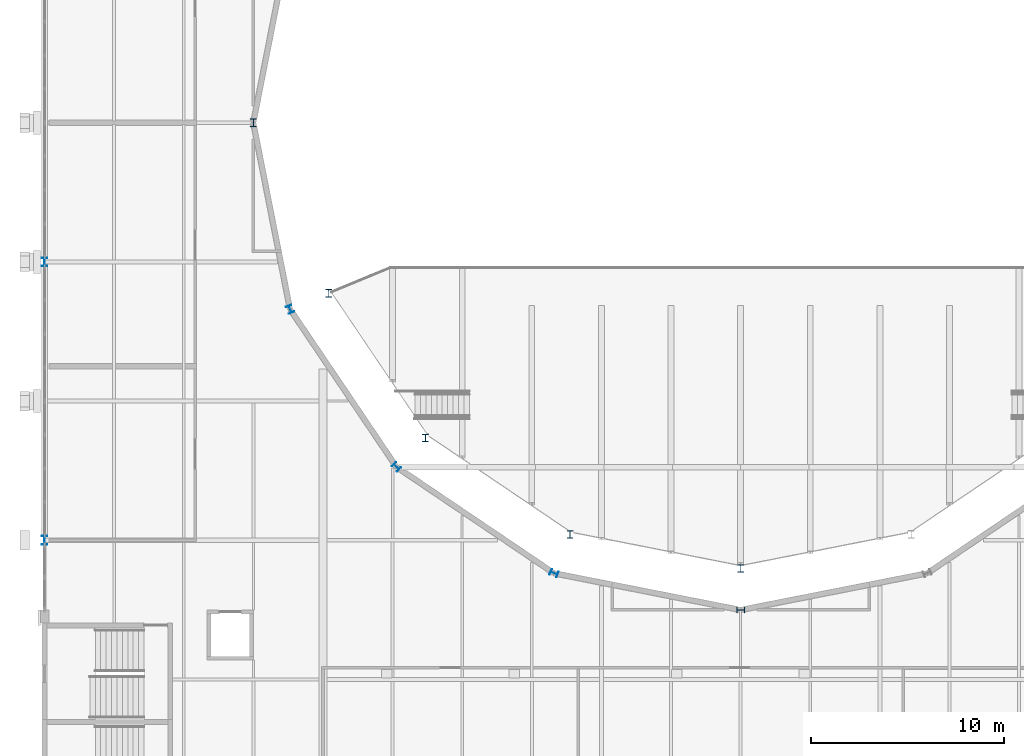
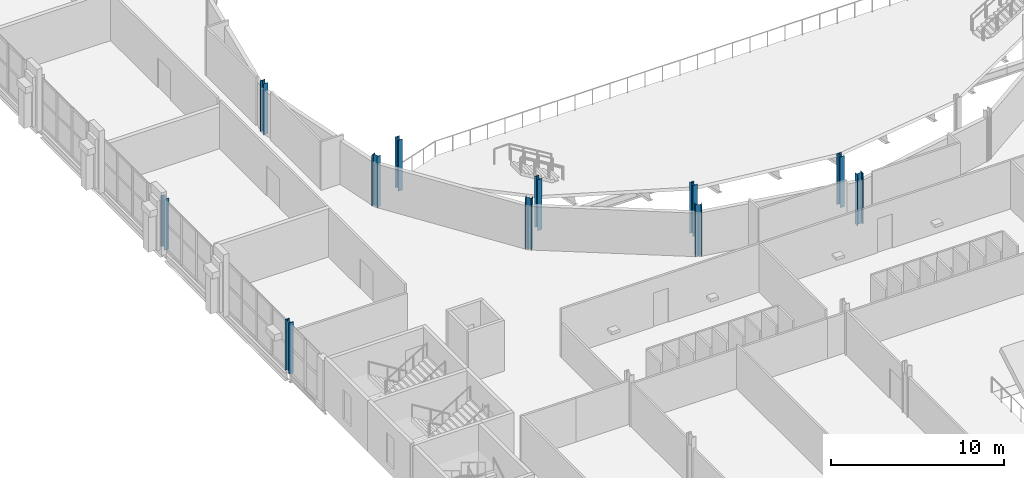
# One storey, part 3 of 124: 11 columns.
"""IFC4 building model written with IfcOpenShell, lengths in metres."""

import ifcopenshell
import ifcopenshell.guid

model = None  # the IFC model being written
_history = None  # IfcOwnerHistory: only IFC2X3 demands one
_inside = {}  # id of a spatial element -> (the spatial element, [elements in it])
_under = {}  # id of a project, library or spatial element -> (it, [spatial elements below it])
_declared = {}  # id of a project -> (the project, [libraries it declares])
_typed = {}  # id of a type object -> (the type object, [elements of that type])
_made_of = {}  # id of a material, layer set ... -> (it, [elements and type objects made of it])


def new_model(schema):
    """Start an empty IFC model of exactly this schema.

    Asked for "IFC4X3", IfcOpenShell would pick the latest addendum, in which some entities
    have other attributes; the version numbers below select the first issue.
    IFC2X3 requires an IfcOwnerHistory on every rooted entity: one is made here for all.
    """
    global model, _history
    if schema == "IFC4X3":
        model = ifcopenshell.file(schema_version=(4, 3, 0, 0))
    else:
        model = ifcopenshell.file(schema=schema)
    _inside.clear()
    _under.clear()
    _declared.clear()
    _typed.clear()
    _made_of.clear()
    _history = None
    if model.schema == "IFC2X3":
        org = make("IfcOrganization", Name="unknown")
        user = make(
            "IfcPersonAndOrganization",
            ThePerson=make("IfcPerson", FamilyName="unknown"),
            TheOrganization=org,
        )
        app = make(
            "IfcApplication",
            ApplicationDeveloper=org,
            Version="unknown",
            ApplicationFullName="unknown",
            ApplicationIdentifier="unknown",
        )
        _history = make(
            "IfcOwnerHistory",
            OwningUser=user,
            OwningApplication=app,
            ChangeAction="ADDED",
            CreationDate=0,
        )
    return model


def make(cls, **values):
    """One entity of the class cls with the attributes given. An attribute that is None is left unset."""
    return model.create_entity(
        cls, **{name: value for name, value in values.items() if value is not None}
    )


def rooted(cls, **values):
    """An entity with a GlobalId (a new one), such as an element, a storey or a relation."""
    return make(cls, GlobalId=ifcopenshell.guid.new(), OwnerHistory=_history, **values)


def si_unit(unit_type, name, prefix=None):
    """IfcSIUnit, for example si_unit("LENGTHUNIT", "METRE", prefix="MILLI")."""
    return make("IfcSIUnit", UnitType=unit_type, Prefix=prefix, Name=name)


def assignment(units):
    """IfcUnitAssignment: the units of a project."""
    return None if units is None else make("IfcUnitAssignment", Units=units)


def point(xyz):
    """IfcCartesianPoint."""
    return None if xyz is None else make("IfcCartesianPoint", Coordinates=xyz)


def direction(xyz):
    """IfcDirection."""
    return None if xyz is None else make("IfcDirection", DirectionRatios=xyz)


def frame(location, z_axis=None, x_axis=None):
    """IfcAxis2Placement3D, a coordinate frame: its origin and axes. An axis left out is left unset."""
    return make(
        "IfcAxis2Placement3D",
        Location=point(location),
        Axis=direction(z_axis),
        RefDirection=direction(x_axis),
    )


def frame_2d(location, x_axis=None):
    """IfcAxis2Placement2D, a coordinate frame in the plane: its origin and x axis."""
    return make(
        "IfcAxis2Placement2D", Location=point(location), RefDirection=direction(x_axis)
    )


def origin():
    """The frame at (0, 0, 0) with its axes left unset."""
    return frame((0.0, 0.0, 0.0))


def origin_2d():
    """The frame at (0, 0) in the plane with its x axis left unset."""
    return frame_2d((0.0, 0.0))


def place(relative_to, where):
    """IfcLocalPlacement: puts the frame where relative to a parent placement (None: the world)."""
    return make(
        "IfcLocalPlacement", PlacementRelTo=relative_to, RelativePlacement=where
    )


def context(
    kind, dimensions, precision=None, world=None, true_north=None, identifier=None
):
    """IfcGeometricRepresentationContext, for example the 3D "Model" context."""
    return make(
        "IfcGeometricRepresentationContext",
        ContextIdentifier=identifier,
        ContextType=kind,
        CoordinateSpaceDimension=dimensions,
        Precision=precision,
        WorldCoordinateSystem=world,
        TrueNorth=true_north,
    )


def subcontext(parent, identifier, kind, view, scale=None):
    """IfcGeometricRepresentationSubContext, for example "Body" below "Model"."""
    return make(
        "IfcGeometricRepresentationSubContext",
        ContextIdentifier=identifier,
        ContextType=kind,
        ParentContext=parent,
        TargetScale=scale,
        TargetView=view,
    )


def project(units=None, contexts=None):
    """IfcProject with its units and contexts."""
    return rooted(
        "IfcProject",
        Name="project",
        RepresentationContexts=contexts,
        UnitsInContext=assignment(units),
    )


def spatial(cls, under=None, at=None, **own):
    """A site, building, storey or space (cls), placed at a placement, below another one or the project."""
    s = rooted(cls, ObjectPlacement=at, **own)
    if under is not None:
        _under.setdefault(under.id(), (under, []))[1].append(s)
    return s


def profile(cls, at=None, kind="AREA", **sizes):
    """A parametric profile (cls). Its sizes go by their IFC names, for example OverallWidth=200.0."""
    return make(cls, ProfileType=kind, Position=at, **sizes)


def i_section(**sizes):
    """IfcIShapeProfileDef."""
    return profile("IfcIShapeProfileDef", **sizes)


def extrude(swept, where, along, depth):
    """IfcExtrudedAreaSolid: the profile swept, set in the frame where, extruded along a direction by depth."""
    return make(
        "IfcExtrudedAreaSolid",
        SweptArea=swept,
        Position=where,
        ExtrudedDirection=direction(along),
        Depth=depth,
    )


def shape(context_of_items, identifier, shape_type, items):
    """IfcShapeRepresentation: the items that make up one representation, for example the "Body"."""
    return make(
        "IfcShapeRepresentation",
        ContextOfItems=context_of_items,
        RepresentationIdentifier=identifier,
        RepresentationType=shape_type,
        Items=items,
    )


def material(Name=None, Category=None):
    """IfcMaterial."""
    return make("IfcMaterial", Name=Name, Category=Category)


def material_profile(
    of_material, cross_section, Name=None, Category=None, Priority=None
):
    """IfcMaterialProfile: a cross section and its material."""
    return make(
        "IfcMaterialProfile",
        Name=Name,
        Material=of_material,
        Profile=cross_section,
        Priority=Priority,
        Category=Category,
    )


def profile_set(profiles, Name=None, composite=None):
    """IfcMaterialProfileSet."""
    return make(
        "IfcMaterialProfileSet",
        Name=Name,
        MaterialProfiles=profiles,
        CompositeProfile=composite,
    )


def made_of(thing, what):
    """Note that an element or type object is made of a material, layer set ...; save() writes the relation."""
    if what is not None:
        _made_of.setdefault(what.id(), (what, []))[1].append(thing)
    return thing


def type_object(cls, material=None, **own):
    """A type object (cls), such as IfcWallType, which elements share."""
    return made_of(rooted(cls, **own), material)


def element(
    cls,
    number,
    at=None,
    inside=None,
    cuts=None,
    type_object=None,
    material=None,
    context=None,
    identifier="Body",
    shape_type=None,
    held_by="IfcProductDefinitionShape",
    body=None,
    shapes=None,
    **own,
):
    """One element of the class cls, such as IfcWall. Its Tag is "e" and its number.

    at: its placement. inside: the storey or other place that contains it. cuts: it is an
    opening in that element (IfcRelVoidsElement). A single representation is given by context,
    identifier, shape_type and body (its items); several are given by shapes. held_by: the class
    of the entity that holds the representations. save() writes the other relations.
    """
    e = rooted(cls, Tag="e%d" % number, ObjectPlacement=at, **own)
    if body is not None:
        shapes = [shape(context, identifier, shape_type, body)]
    if shapes is not None:
        e.Representation = make(held_by, Representations=shapes)
    if inside is not None:
        _inside.setdefault(inside.id(), (inside, []))[1].append(e)
    if cuts is not None:
        rooted(
            "IfcRelVoidsElement", RelatingBuildingElement=cuts, RelatedOpeningElement=e
        )
    if type_object is not None:
        _typed.setdefault(type_object.id(), (type_object, []))[1].append(e)
    return made_of(e, material)


def aggregate(whole, parts):
    """IfcRelAggregates: a whole, such as a stair, and the parts it consists of."""
    return rooted("IfcRelAggregates", RelatingObject=whole, RelatedObjects=parts)


def save(model, path):
    """Write the relations noted so far, then the file.

    IfcRelAggregates (storeys below a building ...), IfcRelContainedInSpatialStructure (elements
    in a storey), IfcRelDefinesByType, IfcRelAssociatesMaterial and IfcRelDeclares: one each for
    every whole, place, type object, material and project.
    """
    for whole, parts in _under.values():
        aggregate(whole, parts)
    for where, things in _inside.values():
        rooted(
            "IfcRelContainedInSpatialStructure",
            RelatedElements=things,
            RelatingStructure=where,
        )
    for kind, things in _typed.values():
        rooted("IfcRelDefinesByType", RelatedObjects=things, RelatingType=kind)
    for what, things in _made_of.values():
        rooted("IfcRelAssociatesMaterial", RelatedObjects=things, RelatingMaterial=what)
    for by, libraries in _declared.values():
        rooted("IfcRelDeclares", RelatingContext=by, RelatedDefinitions=libraries)
    model.write(path)


model = new_model("IFC4")

# Units and contexts
model_context = context("Model", 3, precision=1e-05, world=origin(), true_north=direction((0.0, 1.0)))
body_context = subcontext(model_context, "Body", "Model", "MODEL_VIEW")
ifc_project = project(units=[si_unit("LENGTHUNIT", "METRE"), si_unit("AREAUNIT", "SQUARE_METRE"), si_unit("VOLUMEUNIT", "CUBIC_METRE"), si_unit("PLANEANGLEUNIT", "RADIAN"), si_unit("MASSUNIT", "GRAM", prefix="KILO")], contexts=[model_context])

# Site, building, storey
site_placement = place(None, origin())
site = spatial("IfcSite", under=ifc_project, at=site_placement, CompositionType="ELEMENT")
building_placement = place(site_placement, origin())
building = spatial("IfcBuilding", under=site, at=building_placement, Name="Kupolbacken Congress Centre", CompositionType="ELEMENT")
storey_placement = place(building_placement, frame((0.0, 0.0, 10.800048828125)))
storey = spatial("IfcBuildingStorey", under=building, at=storey_placement, Name="L03", CompositionType="ELEMENT", Elevation=10.800048828125)

# Columns
ifc_material_1 = material(Name="Steel S355", Category="steel")
ifc_material_profile_1 = material_profile(ifc_material_1, i_section(OverallWidth=0.300048828125, OverallDepth=0.449951171875, WebThickness=0.013916015625, FlangeThickness=0.02587890625, FilletRadius=0.027099609375, at=origin_2d()), Name="HEB 450")
ifc_profile_set_1 = profile_set([ifc_material_profile_1], Name="Steel S355")
column_type_1 = type_object("IfcColumnType", Name="C03 column HEB 450", PredefinedType="COLUMN", material=ifc_profile_set_1)
for number, where, z_axis, x_axis, name in (
    (1, (7.199951171875, 64.800048828125, 0.0), (0.0, 0.0, 1.0), (1.0, 0.0, 0.0), "S/col/C-P-2K/L03"),
    (2, (7.199951171875, 79.199951171875, 0.0), (0.0, 0.0, 1.0), (1.0, 0.0, 0.0), "S/col/C-P-2M/L03"),
):
    element("IfcColumn", number, at=place(storey_placement, frame(where, z_axis=z_axis, x_axis=x_axis)), inside=storey, type_object=column_type_1, Name=name, PredefinedType="COLUMN", context=body_context, shape_type="SweptSolid", body=[
        extrude(i_section(OverallWidth=0.300048828125, OverallDepth=0.449951171875, WebThickness=0.013916015625, FlangeThickness=0.02587890625, FilletRadius=0.027099609375, at=origin_2d()), origin(), (0.0, 0.0, 1.0), 3.599853515625),
    ])
ifc_material_2 = material(Name="Steel S355", Category="steel")
ifc_material_profile_2 = material_profile(ifc_material_2, i_section(OverallWidth=0.300048828125, OverallDepth=0.39990234375, WebThickness=0.013427734375, FlangeThickness=0.02392578125, FilletRadius=0.027099609375, at=origin_2d()), Name="HEB 400")
ifc_profile_set_2 = profile_set([ifc_material_profile_2], Name="Steel S355")
column_type_2 = type_object("IfcColumnType", Name="C08 column HEB 400", PredefinedType="COLUMN", material=ifc_profile_set_2)
for number, where, z_axis, x_axis, name in (
    (3, (18.0, 86.39990234375, 0.0), (0.0, 0.0, 1.0), (-1.0, 0.0, 0.0), "S/col/C-D09/L03"),
    (4, (19.89990234375, 76.75, 0.0), (0.0, 0.0, 1.0), (-0.923896018243, -0.382643629864, 0.0), "S/col/C-D10/L03"),
    (5, (25.39990234375, 68.60009765625, 0.0), (0.0, 0.0, 1.0), (-0.707106781187, -0.707106781187, 0.0), "S/col/C-D11/L03"),
    (6, (33.550048828125, 63.10009765625, 0.0), (0.0, 0.0, 1.0), (-0.382643629864, -0.923896018243, 0.0), "S/col/C-D12/L03"),
    (7, (43.199951171875, 61.199951171875, 0.0), (0.0, 0.0, 1.0), (0.0, -1.0, 0.0), "S/col/C-D13/L03"),
    (8, (21.896484375, 77.57568359375, 0.0), (0.0, 0.0, 1.0), (1.0, 0.0, 0.0), "Plenary ring column"),
    (9, (26.89501953125, 70.094970703125, 0.0), (0.0, 0.0, 1.0), (1.0, 0.0, 0.0), "Plenary ring column"),
    (10, (34.375732421875, 65.096435546875, 0.0), (0.0, 0.0, 1.0), (1.0, 0.0, 0.0), "Plenary ring column"),
    (11, (43.199951171875, 63.341064453125, 0.0), (0.0, 0.0, 1.0), (1.0, 0.0, 0.0), "Plenary ring column"),
):
    element("IfcColumn", number, at=place(storey_placement, frame(where, z_axis=z_axis, x_axis=x_axis)), inside=storey, type_object=column_type_2, Name=name, PredefinedType="COLUMN", context=body_context, shape_type="SweptSolid", body=[
        extrude(i_section(OverallWidth=0.300048828125, OverallDepth=0.39990234375, WebThickness=0.013427734375, FlangeThickness=0.02392578125, FilletRadius=0.027099609375, at=origin_2d()), origin(), (0.0, 0.0, 1.0), 3.599853515625),
    ])

save(model, "model.ifc")
